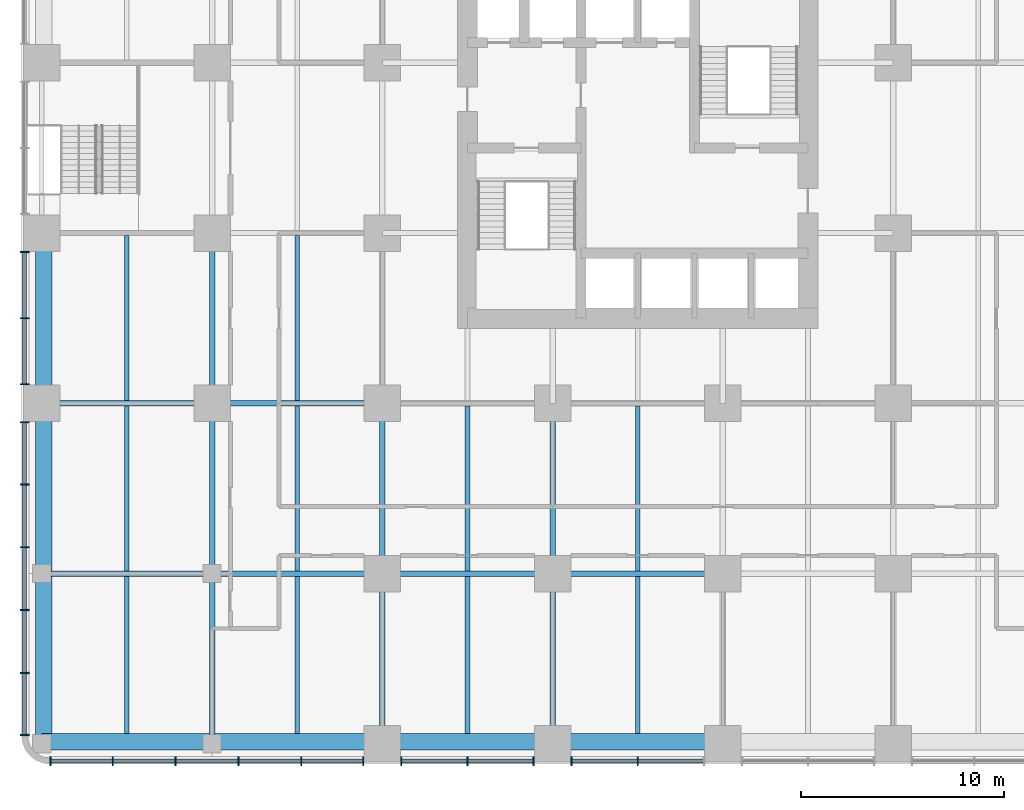
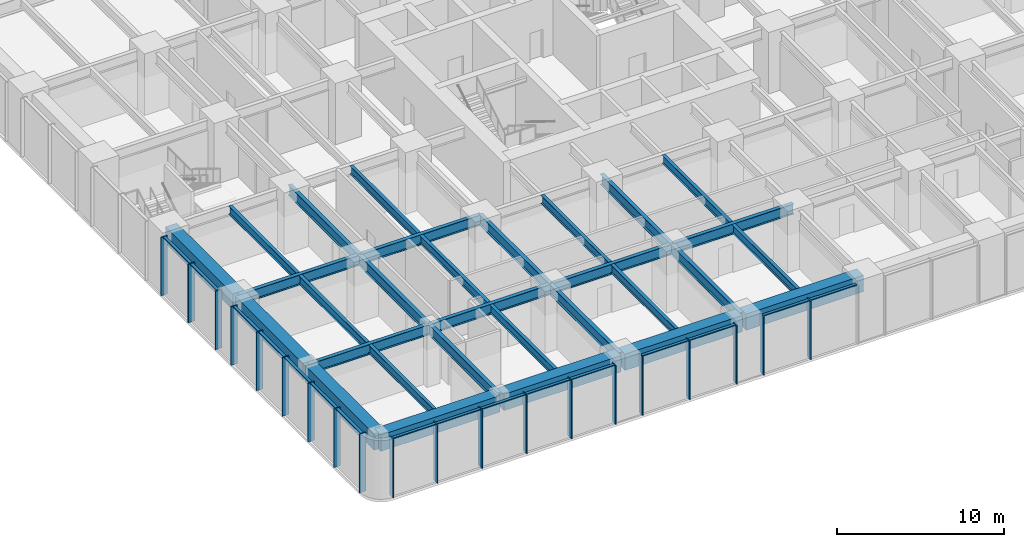
# One storey, part 2 of 17: 36 members, 30 beams, 2 elements without a shape of their own.
"""IFC4 building model written with IfcOpenShell, lengths in metres."""

from ifc_helpers import new_model, si_unit, direction, frame, origin, origin_2d, place, context, subcontext, project, spatial, rectangle, i_section, extrude, material, material_profile, profile_set, type_object, element, aggregate, save


model = new_model("IFC4")

# Units and contexts
model_context = context("Model", 3, precision=1e-05, world=origin(), true_north=direction((0.0, 1.0)))
body_context = subcontext(model_context, "Body", "Model", "MODEL_VIEW")
ifc_project = project(units=[si_unit("LENGTHUNIT", "METRE"), si_unit("AREAUNIT", "SQUARE_METRE"), si_unit("VOLUMEUNIT", "CUBIC_METRE"), si_unit("PLANEANGLEUNIT", "RADIAN"), si_unit("MASSUNIT", "GRAM", prefix="KILO")], contexts=[model_context])

# Site, building, storey
site_placement = place(None, origin())
site = spatial("IfcSite", under=ifc_project, at=site_placement, CompositionType="ELEMENT")
building_placement = place(site_placement, origin())
building = spatial("IfcBuilding", under=site, at=building_placement, Name="Torre Alcanfor", CompositionType="ELEMENT")
storey_placement = place(building_placement, frame((0.0, 0.0, 19.5)))
storey = spatial("IfcBuildingStorey", under=building, at=storey_placement, Name="L04", CompositionType="ELEMENT", Elevation=19.5)

# Curtain wall, members
ifc_material_1 = material(Name="Aluminium and glass", Category="aluminium")
curtain_wall_type = type_object("IfcCurtainWallType", Name="CW-B unitised classroom glazing with vertical FIN", PredefinedType="NOTDEFINED", material=ifc_material_1)
curtain_wall_1_placement = place(storey_placement, origin())
curtain_wall_1 = element("IfcCurtainWall", 1, at=curtain_wall_1_placement, inside=storey, type_object=curtain_wall_type, Name="Curtain wall CW-B L04 3", PredefinedType="NOTDEFINED")
ifc_material_2 = material(Name="Bronze anodised aluminium", Category="aluminium")
ifc_material_profile_1 = material_profile(ifc_material_2, rectangle(XDim=0.449951171875, YDim=0.06494140625, at=origin_2d()), Name="CW-B mullion 65x450")
ifc_profile_set_1 = profile_set([ifc_material_profile_1], Name="Bronze anodised aluminium")
member_type_1 = type_object("IfcMemberType", Name="CW-B mullion with vertical FIN 65x450", PredefinedType="MULLION", material=ifc_profile_set_1)
member_1_placement = place(storey_placement, frame((-0.85009765625, 24.262451171875, 0.0), z_axis=(0.0, 0.0, 1.0), x_axis=(1.0, 0.0, 0.0)))
member_1 = element("IfcMember", 2, at=member_1_placement, type_object=member_type_1, Name="CW-B mullion 4.1", PredefinedType="MULLION", context=body_context, shape_type="SweptSolid", body=[
    extrude(rectangle(XDim=0.449951171875, YDim=0.06494140625, at=origin_2d()), origin(), (0.0, 0.0, 1.0), 4.300048828125),
])
member_2_placement = place(storey_placement, frame((-0.85009765625, 21.0, 0.0), z_axis=(0.0, 0.0, 1.0), x_axis=(1.0, 0.0, 0.0)))
member_2 = element("IfcMember", 3, at=member_2_placement, type_object=member_type_1, Name="CW-B mullion 4.2", PredefinedType="MULLION", context=body_context, shape_type="SweptSolid", body=[
    extrude(rectangle(XDim=0.449951171875, YDim=0.06494140625, at=origin_2d()), origin(), (0.0, 0.0, 1.0), 4.300048828125),
])
member_3_placement = place(storey_placement, frame((-0.85009765625, 17.737548828125, 0.0), z_axis=(0.0, 0.0, 1.0), x_axis=(1.0, 0.0, 0.0)))
member_3 = element("IfcMember", 4, at=member_3_placement, type_object=member_type_1, Name="CW-B mullion 4.3", PredefinedType="MULLION", context=body_context, shape_type="SweptSolid", body=[
    extrude(rectangle(XDim=0.449951171875, YDim=0.06494140625, at=origin_2d()), origin(), (0.0, 0.0, 1.0), 4.300048828125),
])
member_4_placement = place(storey_placement, frame((-0.85009765625, 15.862548828125, 0.0), z_axis=(0.0, 0.0, 1.0), x_axis=(1.0, 0.0, 0.0)))
member_4 = element("IfcMember", 5, at=member_4_placement, type_object=member_type_1, Name="CW-B mullion 5.1", PredefinedType="MULLION", context=body_context, shape_type="SweptSolid", body=[
    extrude(rectangle(XDim=0.449951171875, YDim=0.06494140625, at=origin_2d()), origin(), (0.0, 0.0, 1.0), 4.300048828125),
])
member_5_placement = place(storey_placement, frame((-0.85009765625, 12.7958984375, 0.0), z_axis=(0.0, 0.0, 1.0), x_axis=(1.0, 0.0, 0.0)))
member_5 = element("IfcMember", 6, at=member_5_placement, type_object=member_type_1, Name="CW-B mullion 5.2", PredefinedType="MULLION", context=body_context, shape_type="SweptSolid", body=[
    extrude(rectangle(XDim=0.449951171875, YDim=0.06494140625, at=origin_2d()), origin(), (0.0, 0.0, 1.0), 4.300048828125),
])
member_6_placement = place(storey_placement, frame((-0.85009765625, 9.697021484375, 0.0), z_axis=(0.0, 0.0, 1.0), x_axis=(1.0, 0.0, 0.0)))
member_6 = element("IfcMember", 7, at=member_6_placement, type_object=member_type_1, Name="CW-B mullion 5.3", PredefinedType="MULLION", context=body_context, shape_type="SweptSolid", body=[
    extrude(rectangle(XDim=0.449951171875, YDim=0.06494140625, at=origin_2d()), origin(), (0.0, 0.0, 1.0), 4.300048828125),
])
member_7_placement = place(storey_placement, frame((-0.85009765625, 6.597900390625, 0.0), z_axis=(0.0, 0.0, 1.0), x_axis=(1.0, 0.0, 0.0)))
member_7 = element("IfcMember", 8, at=member_7_placement, type_object=member_type_1, Name="CW-B mullion 5.4", PredefinedType="MULLION", context=body_context, shape_type="SweptSolid", body=[
    extrude(rectangle(XDim=0.449951171875, YDim=0.06494140625, at=origin_2d()), origin(), (0.0, 0.0, 1.0), 4.300048828125),
])
member_8_placement = place(storey_placement, frame((-0.85009765625, 3.4990234375, 0.0), z_axis=(0.0, 0.0, 1.0), x_axis=(1.0, 0.0, 0.0)))
member_8 = element("IfcMember", 9, at=member_8_placement, type_object=member_type_1, Name="CW-B mullion 5.5", PredefinedType="MULLION", context=body_context, shape_type="SweptSolid", body=[
    extrude(rectangle(XDim=0.449951171875, YDim=0.06494140625, at=origin_2d()), origin(), (0.0, 0.0, 1.0), 4.300048828125),
])
member_9_placement = place(storey_placement, frame((-0.85009765625, 0.4326171875, 0.0), z_axis=(0.0, 0.0, 1.0), x_axis=(1.0, 0.0, 0.0)))
member_9 = element("IfcMember", 10, at=member_9_placement, type_object=member_type_1, Name="CW-B mullion 5.6", PredefinedType="MULLION", context=body_context, shape_type="SweptSolid", body=[
    extrude(rectangle(XDim=0.449951171875, YDim=0.06494140625, at=origin_2d()), origin(), (0.0, 0.0, 1.0), 4.300048828125),
])

curtain_wall_2_placement = place(storey_placement, origin())
curtain_wall_2 = element("IfcCurtainWall", 11, at=curtain_wall_2_placement, inside=storey, type_object=curtain_wall_type, Name="Curtain wall CW-B L04 4", PredefinedType="NOTDEFINED")
member_10_placement = place(storey_placement, frame((0.4326171875, -0.85009765625, 0.0), z_axis=(0.0, 0.0, 1.0), x_axis=(0.0, 1.0, 0.0)))
member_10 = element("IfcMember", 12, at=member_10_placement, type_object=member_type_1, Name="CW-B mullion 1.1", PredefinedType="MULLION", context=body_context, shape_type="SweptSolid", body=[
    extrude(rectangle(XDim=0.449951171875, YDim=0.06494140625, at=origin_2d()), origin(), (0.0, 0.0, 1.0), 4.300048828125),
])
member_11_placement = place(storey_placement, frame((3.4990234375, -0.85009765625, 0.0), z_axis=(0.0, 0.0, 1.0), x_axis=(0.0, 1.0, 0.0)))
member_11 = element("IfcMember", 13, at=member_11_placement, type_object=member_type_1, Name="CW-B mullion 1.2", PredefinedType="MULLION", context=body_context, shape_type="SweptSolid", body=[
    extrude(rectangle(XDim=0.449951171875, YDim=0.06494140625, at=origin_2d()), origin(), (0.0, 0.0, 1.0), 4.300048828125),
])
member_12_placement = place(storey_placement, frame((6.597900390625, -0.85009765625, 0.0), z_axis=(0.0, 0.0, 1.0), x_axis=(0.0, 1.0, 0.0)))
member_12 = element("IfcMember", 14, at=member_12_placement, type_object=member_type_1, Name="CW-B mullion 1.3", PredefinedType="MULLION", context=body_context, shape_type="SweptSolid", body=[
    extrude(rectangle(XDim=0.449951171875, YDim=0.06494140625, at=origin_2d()), origin(), (0.0, 0.0, 1.0), 4.300048828125),
])
member_13_placement = place(storey_placement, frame((9.697021484375, -0.85009765625, 0.0), z_axis=(0.0, 0.0, 1.0), x_axis=(0.0, 1.0, 0.0)))
member_13 = element("IfcMember", 15, at=member_13_placement, type_object=member_type_1, Name="CW-B mullion 1.4", PredefinedType="MULLION", context=body_context, shape_type="SweptSolid", body=[
    extrude(rectangle(XDim=0.449951171875, YDim=0.06494140625, at=origin_2d()), origin(), (0.0, 0.0, 1.0), 4.300048828125),
])
member_14_placement = place(storey_placement, frame((12.7958984375, -0.85009765625, 0.0), z_axis=(0.0, 0.0, 1.0), x_axis=(0.0, 1.0, 0.0)))
member_14 = element("IfcMember", 16, at=member_14_placement, type_object=member_type_1, Name="CW-B mullion 1.5", PredefinedType="MULLION", context=body_context, shape_type="SweptSolid", body=[
    extrude(rectangle(XDim=0.449951171875, YDim=0.06494140625, at=origin_2d()), origin(), (0.0, 0.0, 1.0), 4.300048828125),
])
member_15_placement = place(storey_placement, frame((15.862548828125, -0.85009765625, 0.0), z_axis=(0.0, 0.0, 1.0), x_axis=(0.0, 1.0, 0.0)))
member_15 = element("IfcMember", 17, at=member_15_placement, type_object=member_type_1, Name="CW-B mullion 1.6", PredefinedType="MULLION", context=body_context, shape_type="SweptSolid", body=[
    extrude(rectangle(XDim=0.449951171875, YDim=0.06494140625, at=origin_2d()), origin(), (0.0, 0.0, 1.0), 4.300048828125),
])
member_16_placement = place(storey_placement, frame((17.737548828125, -0.85009765625, 0.0), z_axis=(0.0, 0.0, 1.0), x_axis=(0.0, 1.0, 0.0)))
member_16 = element("IfcMember", 18, at=member_16_placement, type_object=member_type_1, Name="CW-B mullion 2.1", PredefinedType="MULLION", context=body_context, shape_type="SweptSolid", body=[
    extrude(rectangle(XDim=0.449951171875, YDim=0.06494140625, at=origin_2d()), origin(), (0.0, 0.0, 1.0), 4.300048828125),
])
member_17_placement = place(storey_placement, frame((21.0, -0.85009765625, 0.0), z_axis=(0.0, 0.0, 1.0), x_axis=(0.0, 1.0, 0.0)))
member_17 = element("IfcMember", 19, at=member_17_placement, type_object=member_type_1, Name="CW-B mullion 2.2", PredefinedType="MULLION", context=body_context, shape_type="SweptSolid", body=[
    extrude(rectangle(XDim=0.449951171875, YDim=0.06494140625, at=origin_2d()), origin(), (0.0, 0.0, 1.0), 4.300048828125),
])
member_18_placement = place(storey_placement, frame((24.262451171875, -0.85009765625, 0.0), z_axis=(0.0, 0.0, 1.0), x_axis=(0.0, 1.0, 0.0)))
member_18 = element("IfcMember", 20, at=member_18_placement, type_object=member_type_1, Name="CW-B mullion 2.3", PredefinedType="MULLION", context=body_context, shape_type="SweptSolid", body=[
    extrude(rectangle(XDim=0.449951171875, YDim=0.06494140625, at=origin_2d()), origin(), (0.0, 0.0, 1.0), 4.300048828125),
])
member_19_placement = place(storey_placement, frame((26.137451171875, -0.85009765625, 0.0), z_axis=(0.0, 0.0, 1.0), x_axis=(0.0, 1.0, 0.0)))
member_19 = element("IfcMember", 21, at=member_19_placement, type_object=member_type_1, Name="CW-B mullion 3.1", PredefinedType="MULLION", context=body_context, shape_type="SweptSolid", body=[
    extrude(rectangle(XDim=0.449951171875, YDim=0.06494140625, at=origin_2d()), origin(), (0.0, 0.0, 1.0), 4.300048828125),
])
member_20_placement = place(storey_placement, frame((29.39990234375, -0.85009765625, 0.0), z_axis=(0.0, 0.0, 1.0), x_axis=(0.0, 1.0, 0.0)))
member_20 = element("IfcMember", 22, at=member_20_placement, type_object=member_type_1, Name="CW-B mullion 3.2", PredefinedType="MULLION", context=body_context, shape_type="SweptSolid", body=[
    extrude(rectangle(XDim=0.449951171875, YDim=0.06494140625, at=origin_2d()), origin(), (0.0, 0.0, 1.0), 4.300048828125),
])

# Member
ifc_material_3 = material(Name="Extruded aluminium", Category="aluminium")
ifc_material_profile_2 = material_profile(ifc_material_3, rectangle(XDim=0.199951171875, YDim=0.06494140625, at=origin_2d()), Name="CW-B transom 200x65")
ifc_profile_set_2 = profile_set([ifc_material_profile_2], Name="Extruded aluminium")
member_type_2 = type_object("IfcMemberType", Name="CW-B transom 65x200", PredefinedType="USERDEFINED", material=ifc_profile_set_2)
member_21_placement = place(storey_placement, frame((-0.85009765625, 24.22998046875, 4.267578125), z_axis=(0.0, -1.0, 0.0), x_axis=(1.0, 0.0, 0.0)))
member_21 = element("IfcMember", 23, at=member_21_placement, type_object=member_type_2, Name="CW-B transom 4.1.2", ObjectType="TRANSOM", PredefinedType="USERDEFINED", context=body_context, shape_type="SweptSolid", body=[
    extrude(rectangle(XDim=0.199951171875, YDim=0.06494140625, at=origin_2d()), origin(), (0.0, 0.0, 1.0), 3.197509765625),
])

member_22_placement = place(storey_placement, frame((-0.85009765625, 20.967529296875, 4.267578125), z_axis=(0.0, -1.0, 0.0), x_axis=(1.0, 0.0, 0.0)))
member_22 = element("IfcMember", 24, at=member_22_placement, type_object=member_type_2, Name="CW-B transom 4.2.2", ObjectType="TRANSOM", PredefinedType="USERDEFINED", context=body_context, shape_type="SweptSolid", body=[
    extrude(rectangle(XDim=0.199951171875, YDim=0.06494140625, at=origin_2d()), origin(), (0.0, 0.0, 1.0), 3.197509765625),
])

member_23_placement = place(storey_placement, frame((-0.85009765625, 15.830078125, 4.267578125), z_axis=(0.0, -1.0, 0.0), x_axis=(1.0, 0.0, 0.0)))
member_23 = element("IfcMember", 25, at=member_23_placement, type_object=member_type_2, Name="CW-B transom 5.1.2", ObjectType="TRANSOM", PredefinedType="USERDEFINED", context=body_context, shape_type="SweptSolid", body=[
    extrude(rectangle(XDim=0.199951171875, YDim=0.06494140625, at=origin_2d()), origin(), (0.0, 0.0, 1.0), 3.00146484375),
])

member_24_placement = place(storey_placement, frame((-0.85009765625, 12.763427734375, 4.267578125), z_axis=(0.0, -1.0, 0.0), x_axis=(1.0, 0.0, 0.0)))
member_24 = element("IfcMember", 26, at=member_24_placement, type_object=member_type_2, Name="CW-B transom 5.2.2", ObjectType="TRANSOM", PredefinedType="USERDEFINED", context=body_context, shape_type="SweptSolid", body=[
    extrude(rectangle(XDim=0.199951171875, YDim=0.06494140625, at=origin_2d()), origin(), (0.0, 0.0, 1.0), 3.033935546875),
])

member_25_placement = place(storey_placement, frame((-0.85009765625, 9.66455078125, 4.267578125), z_axis=(0.0, -1.0, 0.0), x_axis=(1.0, 0.0, 0.0)))
member_25 = element("IfcMember", 27, at=member_25_placement, type_object=member_type_2, Name="CW-B transom 5.3.2", ObjectType="TRANSOM", PredefinedType="USERDEFINED", context=body_context, shape_type="SweptSolid", body=[
    extrude(rectangle(XDim=0.199951171875, YDim=0.06494140625, at=origin_2d()), origin(), (0.0, 0.0, 1.0), 3.033935546875),
])

member_26_placement = place(storey_placement, frame((-0.85009765625, 6.5654296875, 4.267578125), z_axis=(0.0, -1.0, 0.0), x_axis=(1.0, 0.0, 0.0)))
member_26 = element("IfcMember", 28, at=member_26_placement, type_object=member_type_2, Name="CW-B transom 5.4.2", ObjectType="TRANSOM", PredefinedType="USERDEFINED", context=body_context, shape_type="SweptSolid", body=[
    extrude(rectangle(XDim=0.199951171875, YDim=0.06494140625, at=origin_2d()), origin(), (0.0, 0.0, 1.0), 3.033935546875),
])

member_27_placement = place(storey_placement, frame((-0.85009765625, 3.466552734375, 4.267578125), z_axis=(0.0, -1.0, 0.0), x_axis=(1.0, 0.0, 0.0)))
member_27 = element("IfcMember", 29, at=member_27_placement, type_object=member_type_2, Name="CW-B transom 5.5.2", ObjectType="TRANSOM", PredefinedType="USERDEFINED", context=body_context, shape_type="SweptSolid", body=[
    extrude(rectangle(XDim=0.199951171875, YDim=0.06494140625, at=origin_2d()), origin(), (0.0, 0.0, 1.0), 3.00146484375),
])

aggregate(curtain_wall_1, [member_1, member_2, member_3, member_21, member_22, member_4, member_5, member_6, member_7, member_8, member_9, member_23, member_24, member_25, member_26, member_27])

member_28_placement = place(storey_placement, frame((0.465087890625, -0.85009765625, 4.267578125), z_axis=(1.0, 0.0, 0.0), x_axis=(0.0, 1.0, 0.0)))
member_28 = element("IfcMember", 30, at=member_28_placement, type_object=member_type_2, Name="CW-B transom 1.1.2", ObjectType="TRANSOM", PredefinedType="USERDEFINED", context=body_context, shape_type="SweptSolid", body=[
    extrude(rectangle(XDim=0.199951171875, YDim=0.06494140625, at=origin_2d()), origin(), (0.0, 0.0, 1.0), 3.00146484375),
])

member_29_placement = place(storey_placement, frame((3.531494140625, -0.85009765625, 4.267578125), z_axis=(1.0, 0.0, 0.0), x_axis=(0.0, 1.0, 0.0)))
member_29 = element("IfcMember", 31, at=member_29_placement, type_object=member_type_2, Name="CW-B transom 1.2.2", ObjectType="TRANSOM", PredefinedType="USERDEFINED", context=body_context, shape_type="SweptSolid", body=[
    extrude(rectangle(XDim=0.199951171875, YDim=0.06494140625, at=origin_2d()), origin(), (0.0, 0.0, 1.0), 3.033935546875),
])

member_30_placement = place(storey_placement, frame((6.630615234375, -0.85009765625, 4.267578125), z_axis=(1.0, 0.0, 0.0), x_axis=(0.0, 1.0, 0.0)))
member_30 = element("IfcMember", 32, at=member_30_placement, type_object=member_type_2, Name="CW-B transom 1.3.2", ObjectType="TRANSOM", PredefinedType="USERDEFINED", context=body_context, shape_type="SweptSolid", body=[
    extrude(rectangle(XDim=0.199951171875, YDim=0.06494140625, at=origin_2d()), origin(), (0.0, 0.0, 1.0), 3.033935546875),
])

member_31_placement = place(storey_placement, frame((9.7294921875, -0.85009765625, 4.267578125), z_axis=(1.0, 0.0, 0.0), x_axis=(0.0, 1.0, 0.0)))
member_31 = element("IfcMember", 33, at=member_31_placement, type_object=member_type_2, Name="CW-B transom 1.4.2", ObjectType="TRANSOM", PredefinedType="USERDEFINED", context=body_context, shape_type="SweptSolid", body=[
    extrude(rectangle(XDim=0.199951171875, YDim=0.06494140625, at=origin_2d()), origin(), (0.0, 0.0, 1.0), 3.033935546875),
])

member_32_placement = place(storey_placement, frame((12.82861328125, -0.85009765625, 4.267578125), z_axis=(1.0, 0.0, 0.0), x_axis=(0.0, 1.0, 0.0)))
member_32 = element("IfcMember", 34, at=member_32_placement, type_object=member_type_2, Name="CW-B transom 1.5.2", ObjectType="TRANSOM", PredefinedType="USERDEFINED", context=body_context, shape_type="SweptSolid", body=[
    extrude(rectangle(XDim=0.199951171875, YDim=0.06494140625, at=origin_2d()), origin(), (0.0, 0.0, 1.0), 3.00146484375),
])

member_33_placement = place(storey_placement, frame((17.77001953125, -0.85009765625, 4.267578125), z_axis=(1.0, 0.0, 0.0), x_axis=(0.0, 1.0, 0.0)))
member_33 = element("IfcMember", 35, at=member_33_placement, type_object=member_type_2, Name="CW-B transom 2.1.2", ObjectType="TRANSOM", PredefinedType="USERDEFINED", context=body_context, shape_type="SweptSolid", body=[
    extrude(rectangle(XDim=0.199951171875, YDim=0.06494140625, at=origin_2d()), origin(), (0.0, 0.0, 1.0), 3.197509765625),
])

member_34_placement = place(storey_placement, frame((21.032470703125, -0.85009765625, 4.267578125), z_axis=(1.0, 0.0, 0.0), x_axis=(0.0, 1.0, 0.0)))
member_34 = element("IfcMember", 36, at=member_34_placement, type_object=member_type_2, Name="CW-B transom 2.2.2", ObjectType="TRANSOM", PredefinedType="USERDEFINED", context=body_context, shape_type="SweptSolid", body=[
    extrude(rectangle(XDim=0.199951171875, YDim=0.06494140625, at=origin_2d()), origin(), (0.0, 0.0, 1.0), 3.197509765625),
])

member_35_placement = place(storey_placement, frame((26.169921875, -0.85009765625, 4.267578125), z_axis=(1.0, 0.0, 0.0), x_axis=(0.0, 1.0, 0.0)))
member_35 = element("IfcMember", 37, at=member_35_placement, type_object=member_type_2, Name="CW-B transom 3.1.2", ObjectType="TRANSOM", PredefinedType="USERDEFINED", context=body_context, shape_type="SweptSolid", body=[
    extrude(rectangle(XDim=0.199951171875, YDim=0.06494140625, at=origin_2d()), origin(), (0.0, 0.0, 1.0), 3.197509765625),
])

member_36_placement = place(storey_placement, frame((29.4326171875, -0.85009765625, 4.267578125), z_axis=(1.0, 0.0, 0.0), x_axis=(0.0, 1.0, 0.0)))
member_36 = element("IfcMember", 38, at=member_36_placement, type_object=member_type_2, Name="CW-B transom 3.2.2", ObjectType="TRANSOM", PredefinedType="USERDEFINED", context=body_context, shape_type="SweptSolid", body=[
    extrude(rectangle(XDim=0.199951171875, YDim=0.06494140625, at=origin_2d()), origin(), (0.0, 0.0, 1.0), 3.197265625),
])

aggregate(curtain_wall_2, [member_10, member_11, member_12, member_13, member_14, member_15, member_28, member_29, member_30, member_31, member_32, member_16, member_17, member_18, member_33, member_34, member_19, member_20, member_35, member_36])

# Beams
ifc_material_4 = material(Name="Steel ASTM A992 Grade 50", Category="steel")
ifc_material_profile_3 = material_profile(ifc_material_4, i_section(OverallWidth=0.2666015625, OverallDepth=0.7568359375, WebThickness=0.013916015625, FlangeThickness=0.019287109375, at=origin_2d()), Name="W30x108")
ifc_profile_set_3 = profile_set([ifc_material_profile_3], Name="Steel ASTM A992 Grade 50")
beam_type_1 = type_object("IfcBeamType", Name="Girder W30x108", PredefinedType="BEAM", material=ifc_profile_set_3)
beam_1_placement = place(storey_placement, frame((0.0, 8.39990234375, 3.921630859375), z_axis=(1.0, 0.0, 0.0), x_axis=(0.0, 1.0, 0.0)))
element("IfcBeam", 39, at=beam_1_placement, inside=storey, type_object=beam_type_1, Name="Beam 1D-2D under L05", PredefinedType="BEAM", context=body_context, shape_type="SweptSolid", body=[
    extrude(i_section(OverallWidth=0.2666015625, OverallDepth=0.7568359375, WebThickness=0.013916015625, FlangeThickness=0.019287109375, at=origin_2d()), origin(), (0.0, 0.0, 1.0), 8.39990234375),
])
beam_2_placement = place(storey_placement, frame((8.39990234375, 8.39990234375, 3.921630859375), z_axis=(1.0, 0.0, 0.0), x_axis=(0.0, 1.0, 0.0)))
element("IfcBeam", 40, at=beam_2_placement, inside=storey, type_object=beam_type_1, Name="Beam 2D-3D under L05", PredefinedType="BEAM", context=body_context, shape_type="SweptSolid", body=[
    extrude(i_section(OverallWidth=0.2666015625, OverallDepth=0.7568359375, WebThickness=0.013916015625, FlangeThickness=0.019287109375, at=origin_2d()), origin(), (0.0, 0.0, 1.0), 8.400146484375),
])
beam_3_placement = place(storey_placement, frame((16.800048828125, 8.39990234375, 3.921630859375), z_axis=(1.0, 0.0, 0.0), x_axis=(0.0, 1.0, 0.0)))
element("IfcBeam", 41, at=beam_3_placement, inside=storey, type_object=beam_type_1, Name="Beam 3D-4D under L05", PredefinedType="BEAM", context=body_context, shape_type="SweptSolid", body=[
    extrude(i_section(OverallWidth=0.2666015625, OverallDepth=0.7568359375, WebThickness=0.013916015625, FlangeThickness=0.019287109375, at=origin_2d()), origin(), (0.0, 0.0, 1.0), 8.39990234375),
])
beam_4_placement = place(storey_placement, frame((25.199951171875, 8.39990234375, 3.921630859375), z_axis=(1.0, 0.0, 0.0), x_axis=(0.0, 1.0, 0.0)))
element("IfcBeam", 42, at=beam_4_placement, inside=storey, type_object=beam_type_1, Name="Beam 4D-5D under L05", PredefinedType="BEAM", context=body_context, shape_type="SweptSolid", body=[
    extrude(i_section(OverallWidth=0.2666015625, OverallDepth=0.7568359375, WebThickness=0.013916015625, FlangeThickness=0.019287109375, at=origin_2d()), origin(), (0.0, 0.0, 1.0), 8.400146484375),
])
beam_5_placement = place(storey_placement, frame((0.0, 16.800048828125, 3.921630859375), z_axis=(1.0, 0.0, 0.0), x_axis=(0.0, 1.0, 0.0)))
element("IfcBeam", 43, at=beam_5_placement, inside=storey, type_object=beam_type_1, Name="Beam 1E-2E under L05", PredefinedType="BEAM", context=body_context, shape_type="SweptSolid", body=[
    extrude(i_section(OverallWidth=0.2666015625, OverallDepth=0.7568359375, WebThickness=0.013916015625, FlangeThickness=0.019287109375, at=origin_2d()), origin(), (0.0, 0.0, 1.0), 8.39990234375),
])
beam_6_placement = place(storey_placement, frame((8.39990234375, 16.800048828125, 3.921630859375), z_axis=(1.0, 0.0, 0.0), x_axis=(0.0, 1.0, 0.0)))
element("IfcBeam", 44, at=beam_6_placement, inside=storey, type_object=beam_type_1, Name="Beam 2E-3E under L05", PredefinedType="BEAM", context=body_context, shape_type="SweptSolid", body=[
    extrude(i_section(OverallWidth=0.2666015625, OverallDepth=0.7568359375, WebThickness=0.013916015625, FlangeThickness=0.019287109375, at=origin_2d()), origin(), (0.0, 0.0, 1.0), 8.400146484375),
])
beam_7_placement = place(storey_placement, frame((8.39990234375, 0.0, 3.921630859375), z_axis=(0.0, 1.0, 0.0), x_axis=(-1.0, 0.0, 0.0)))
element("IfcBeam", 45, at=beam_7_placement, inside=storey, type_object=beam_type_1, Name="Beam 2C-2D under L05", PredefinedType="BEAM", context=body_context, shape_type="SweptSolid", body=[
    extrude(i_section(OverallWidth=0.2666015625, OverallDepth=0.7568359375, WebThickness=0.013916015625, FlangeThickness=0.019287109375, at=origin_2d()), origin(), (0.0, 0.0, 1.0), 8.39990234375),
])
beam_8_placement = place(storey_placement, frame((8.39990234375, 8.39990234375, 3.921630859375), z_axis=(0.0, 1.0, 0.0), x_axis=(-1.0, 0.0, 0.0)))
element("IfcBeam", 46, at=beam_8_placement, inside=storey, type_object=beam_type_1, Name="Beam 2D-2E under L05", PredefinedType="BEAM", context=body_context, shape_type="SweptSolid", body=[
    extrude(i_section(OverallWidth=0.2666015625, OverallDepth=0.7568359375, WebThickness=0.013916015625, FlangeThickness=0.019287109375, at=origin_2d()), origin(), (0.0, 0.0, 1.0), 8.400146484375),
])
for number, where, z_axis, x_axis, name in (
    (47, (8.39990234375, 16.800048828125, 3.921630859375), (0.0, 1.0, 0.0), (-1.0, 0.0, 0.0), "Beam 2E-2F under L05"),
    (48, (16.800048828125, 0.0, 3.921630859375), (0.0, 1.0, 0.0), (-1.0, 0.0, 0.0), "Beam 3C-3D under L05"),
):
    element("IfcBeam", number, at=place(storey_placement, frame(where, z_axis=z_axis, x_axis=x_axis)), inside=storey, type_object=beam_type_1, Name=name, PredefinedType="BEAM", context=body_context, shape_type="SweptSolid", body=[
        extrude(i_section(OverallWidth=0.2666015625, OverallDepth=0.7568359375, WebThickness=0.013916015625, FlangeThickness=0.019287109375, at=origin_2d()), origin(), (0.0, 0.0, 1.0), 8.39990234375),
    ])
beam_9_placement = place(storey_placement, frame((16.800048828125, 8.39990234375, 3.921630859375), z_axis=(0.0, 1.0, 0.0), x_axis=(-1.0, 0.0, 0.0)))
element("IfcBeam", 49, at=beam_9_placement, inside=storey, type_object=beam_type_1, Name="Beam 3D-3E under L05", PredefinedType="BEAM", context=body_context, shape_type="SweptSolid", body=[
    extrude(i_section(OverallWidth=0.2666015625, OverallDepth=0.7568359375, WebThickness=0.013916015625, FlangeThickness=0.019287109375, at=origin_2d()), origin(), (0.0, 0.0, 1.0), 8.400146484375),
])
beam_10_placement = place(storey_placement, frame((25.199951171875, 0.0, 3.921630859375), z_axis=(0.0, 1.0, 0.0), x_axis=(-1.0, 0.0, 0.0)))
element("IfcBeam", 50, at=beam_10_placement, inside=storey, type_object=beam_type_1, Name="Beam 4C-4D under L05", PredefinedType="BEAM", context=body_context, shape_type="SweptSolid", body=[
    extrude(i_section(OverallWidth=0.2666015625, OverallDepth=0.7568359375, WebThickness=0.013916015625, FlangeThickness=0.019287109375, at=origin_2d()), origin(), (0.0, 0.0, 1.0), 8.39990234375),
])
beam_11_placement = place(storey_placement, frame((25.199951171875, 8.39990234375, 3.921630859375), z_axis=(0.0, 1.0, 0.0), x_axis=(-1.0, 0.0, 0.0)))
element("IfcBeam", 51, at=beam_11_placement, inside=storey, type_object=beam_type_1, Name="Beam 4D-4E under L05", PredefinedType="BEAM", context=body_context, shape_type="SweptSolid", body=[
    extrude(i_section(OverallWidth=0.2666015625, OverallDepth=0.7568359375, WebThickness=0.013916015625, FlangeThickness=0.019287109375, at=origin_2d()), origin(), (0.0, 0.0, 1.0), 8.400146484375),
])
ifc_material_5 = material(Name="Concrete f'c 70 MPa", Category="concrete")
ifc_material_profile_4 = material_profile(ifc_material_5, rectangle(XDim=0.800048828125, YDim=1.199951171875, at=origin_2d()), Name="800x1200")
ifc_profile_set_4 = profile_set([ifc_material_profile_4], Name="Concrete f'c 70 MPa")
beam_type_2 = type_object("IfcBeamType", Name="RC perimeter beam 800x1200", PredefinedType="BEAM", material=ifc_profile_set_4)
beam_12_placement = place(storey_placement, frame((0.0, 0.10009765625, 3.699951171875), z_axis=(1.0, 0.0, 0.0), x_axis=(0.0, 1.0, 0.0)))
element("IfcBeam", 52, at=beam_12_placement, inside=storey, type_object=beam_type_2, Name="Beam 1C-2C under L05", PredefinedType="BEAM", context=body_context, shape_type="SweptSolid", body=[
    extrude(rectangle(XDim=0.800048828125, YDim=1.199951171875, at=origin_2d()), origin(), (0.0, 0.0, 1.0), 8.26708984375),
])
beam_13_placement = place(storey_placement, frame((8.532958984375, 0.10009765625, 3.699951171875), z_axis=(1.0, 0.0, 0.0), x_axis=(0.0, 1.0, 0.0)))
element("IfcBeam", 53, at=beam_13_placement, inside=storey, type_object=beam_type_2, Name="Beam 2C-3C under L05", PredefinedType="BEAM", context=body_context, shape_type="SweptSolid", body=[
    extrude(rectangle(XDim=0.800048828125, YDim=1.199951171875, at=origin_2d()), origin(), (0.0, 0.0, 1.0), 8.134033203125),
])
beam_14_placement = place(storey_placement, frame((16.93310546875, 0.10009765625, 3.699951171875), z_axis=(1.0, 0.0, 0.0), x_axis=(0.0, 1.0, 0.0)))
element("IfcBeam", 54, at=beam_14_placement, inside=storey, type_object=beam_type_2, Name="Beam 3C-4C under L05", PredefinedType="BEAM", context=body_context, shape_type="SweptSolid", body=[
    extrude(rectangle(XDim=0.800048828125, YDim=1.199951171875, at=origin_2d()), origin(), (0.0, 0.0, 1.0), 8.1337890625),
])
beam_15_placement = place(storey_placement, frame((25.3330078125, 0.10009765625, 3.699951171875), z_axis=(1.0, 0.0, 0.0), x_axis=(0.0, 1.0, 0.0)))
element("IfcBeam", 55, at=beam_15_placement, inside=storey, type_object=beam_type_2, Name="Beam 4C-5C under L05", PredefinedType="BEAM", context=body_context, shape_type="SweptSolid", body=[
    extrude(rectangle(XDim=0.800048828125, YDim=1.199951171875, at=origin_2d()), origin(), (0.0, 0.0, 1.0), 8.134033203125),
])
beam_16_placement = place(storey_placement, frame((0.10009765625, 0.0, 3.699951171875), z_axis=(0.0, 1.0, 0.0), x_axis=(-1.0, 0.0, 0.0)))
element("IfcBeam", 56, at=beam_16_placement, inside=storey, type_object=beam_type_2, Name="Beam 1C-1D under L05", PredefinedType="BEAM", context=body_context, shape_type="SweptSolid", body=[
    extrude(rectangle(XDim=0.800048828125, YDim=1.199951171875, at=origin_2d()), origin(), (0.0, 0.0, 1.0), 8.26708984375),
])
beam_17_placement = place(storey_placement, frame((0.10009765625, 8.532958984375, 3.699951171875), z_axis=(0.0, 1.0, 0.0), x_axis=(-1.0, 0.0, 0.0)))
element("IfcBeam", 57, at=beam_17_placement, inside=storey, type_object=beam_type_2, Name="Beam 1D-1E under L05", PredefinedType="BEAM", context=body_context, shape_type="SweptSolid", body=[
    extrude(rectangle(XDim=0.800048828125, YDim=1.199951171875, at=origin_2d()), origin(), (0.0, 0.0, 1.0), 8.134033203125),
])
beam_18_placement = place(storey_placement, frame((0.10009765625, 16.93310546875, 3.699951171875), z_axis=(0.0, 1.0, 0.0), x_axis=(-1.0, 0.0, 0.0)))
element("IfcBeam", 58, at=beam_18_placement, inside=storey, type_object=beam_type_2, Name="Beam 1E-1F under L05", PredefinedType="BEAM", context=body_context, shape_type="SweptSolid", body=[
    extrude(rectangle(XDim=0.800048828125, YDim=1.199951171875, at=origin_2d()), origin(), (0.0, 0.0, 1.0), 8.1337890625),
])
ifc_material_6 = material(Name="Steel ASTM A992 Grade 50", Category="steel")
ifc_material_profile_5 = material_profile(ifc_material_6, i_section(OverallWidth=0.22900390625, OverallDepth=0.612060546875, WebThickness=0.011962890625, FlangeThickness=0.01953125, at=origin_2d()), Name="W24x84")
ifc_profile_set_5 = profile_set([ifc_material_profile_5], Name="Steel ASTM A992 Grade 50")
beam_type_3 = type_object("IfcBeamType", Name="Secondary beam W24x84", PredefinedType="BEAM", material=ifc_profile_set_5)
beam_19_placement = place(storey_placement, frame((4.199951171875, 0.5, 3.993896484375), z_axis=(0.0, 1.0, 0.0), x_axis=(-1.0, 0.0, 0.0)))
element("IfcBeam", 59, at=beam_19_placement, inside=storey, type_object=beam_type_3, Name="Beam 4_2C-4_2D under L05", PredefinedType="BEAM", context=body_context, shape_type="SweptSolid", body=[
    extrude(i_section(OverallWidth=0.22900390625, OverallDepth=0.612060546875, WebThickness=0.011962890625, FlangeThickness=0.01953125, at=origin_2d()), origin(), (0.0, 0.0, 1.0), 7.76708984375),
])
beam_20_placement = place(storey_placement, frame((4.199951171875, 8.532958984375, 3.993896484375), z_axis=(0.0, 1.0, 0.0), x_axis=(-1.0, 0.0, 0.0)))
element("IfcBeam", 60, at=beam_20_placement, inside=storey, type_object=beam_type_3, Name="Beam 4_2D-4_2E under L05", PredefinedType="BEAM", context=body_context, shape_type="SweptSolid", body=[
    extrude(i_section(OverallWidth=0.22900390625, OverallDepth=0.612060546875, WebThickness=0.011962890625, FlangeThickness=0.01953125, at=origin_2d()), origin(), (0.0, 0.0, 1.0), 8.134033203125),
])
beam_21_placement = place(storey_placement, frame((4.199951171875, 16.93310546875, 3.993896484375), z_axis=(0.0, 1.0, 0.0), x_axis=(-1.0, 0.0, 0.0)))
element("IfcBeam", 61, at=beam_21_placement, inside=storey, type_object=beam_type_3, Name="Beam 4_2E-4_2F under L05", PredefinedType="BEAM", context=body_context, shape_type="SweptSolid", body=[
    extrude(i_section(OverallWidth=0.22900390625, OverallDepth=0.612060546875, WebThickness=0.011962890625, FlangeThickness=0.01953125, at=origin_2d()), origin(), (0.0, 0.0, 1.0), 8.1337890625),
])
beam_22_placement = place(storey_placement, frame((12.60009765625, 0.5, 3.993896484375), z_axis=(0.0, 1.0, 0.0), x_axis=(-1.0, 0.0, 0.0)))
element("IfcBeam", 62, at=beam_22_placement, inside=storey, type_object=beam_type_3, Name="Beam 12_6C-12_6D under L05", PredefinedType="BEAM", context=body_context, shape_type="SweptSolid", body=[
    extrude(i_section(OverallWidth=0.22900390625, OverallDepth=0.612060546875, WebThickness=0.011962890625, FlangeThickness=0.01953125, at=origin_2d()), origin(), (0.0, 0.0, 1.0), 7.76708984375),
])
beam_23_placement = place(storey_placement, frame((12.60009765625, 8.532958984375, 3.993896484375), z_axis=(0.0, 1.0, 0.0), x_axis=(-1.0, 0.0, 0.0)))
element("IfcBeam", 63, at=beam_23_placement, inside=storey, type_object=beam_type_3, Name="Beam 12_6D-12_6E under L05", PredefinedType="BEAM", context=body_context, shape_type="SweptSolid", body=[
    extrude(i_section(OverallWidth=0.22900390625, OverallDepth=0.612060546875, WebThickness=0.011962890625, FlangeThickness=0.01953125, at=origin_2d()), origin(), (0.0, 0.0, 1.0), 8.134033203125),
])
beam_24_placement = place(storey_placement, frame((12.60009765625, 16.93310546875, 3.993896484375), z_axis=(0.0, 1.0, 0.0), x_axis=(-1.0, 0.0, 0.0)))
element("IfcBeam", 64, at=beam_24_placement, inside=storey, type_object=beam_type_3, Name="Beam 12_6E-12_6F under L05", PredefinedType="BEAM", context=body_context, shape_type="SweptSolid", body=[
    extrude(i_section(OverallWidth=0.22900390625, OverallDepth=0.612060546875, WebThickness=0.011962890625, FlangeThickness=0.01953125, at=origin_2d()), origin(), (0.0, 0.0, 1.0), 8.1337890625),
])
beam_25_placement = place(storey_placement, frame((21.0, 0.5, 3.993896484375), z_axis=(0.0, 1.0, 0.0), x_axis=(-1.0, 0.0, 0.0)))
element("IfcBeam", 65, at=beam_25_placement, inside=storey, type_object=beam_type_3, Name="Beam 21C-21D under L05", PredefinedType="BEAM", context=body_context, shape_type="SweptSolid", body=[
    extrude(i_section(OverallWidth=0.22900390625, OverallDepth=0.612060546875, WebThickness=0.011962890625, FlangeThickness=0.01953125, at=origin_2d()), origin(), (0.0, 0.0, 1.0), 7.76708984375),
])
beam_26_placement = place(storey_placement, frame((21.0, 8.532958984375, 3.993896484375), z_axis=(0.0, 1.0, 0.0), x_axis=(-1.0, 0.0, 0.0)))
element("IfcBeam", 66, at=beam_26_placement, inside=storey, type_object=beam_type_3, Name="Beam 21D-21E under L05", PredefinedType="BEAM", context=body_context, shape_type="SweptSolid", body=[
    extrude(i_section(OverallWidth=0.22900390625, OverallDepth=0.612060546875, WebThickness=0.011962890625, FlangeThickness=0.01953125, at=origin_2d()), origin(), (0.0, 0.0, 1.0), 8.134033203125),
])
beam_27_placement = place(storey_placement, frame((29.39990234375, 0.5, 3.993896484375), z_axis=(0.0, 1.0, 0.0), x_axis=(-1.0, 0.0, 0.0)))
element("IfcBeam", 67, at=beam_27_placement, inside=storey, type_object=beam_type_3, Name="Beam 29_4C-29_4D under L05", PredefinedType="BEAM", context=body_context, shape_type="SweptSolid", body=[
    extrude(i_section(OverallWidth=0.22900390625, OverallDepth=0.612060546875, WebThickness=0.011962890625, FlangeThickness=0.01953125, at=origin_2d()), origin(), (0.0, 0.0, 1.0), 7.76708984375),
])
beam_28_placement = place(storey_placement, frame((29.39990234375, 8.532958984375, 3.993896484375), z_axis=(0.0, 1.0, 0.0), x_axis=(-1.0, 0.0, 0.0)))
element("IfcBeam", 68, at=beam_28_placement, inside=storey, type_object=beam_type_3, Name="Beam 29_4D-29_4E under L05", PredefinedType="BEAM", context=body_context, shape_type="SweptSolid", body=[
    extrude(i_section(OverallWidth=0.22900390625, OverallDepth=0.612060546875, WebThickness=0.011962890625, FlangeThickness=0.01953125, at=origin_2d()), origin(), (0.0, 0.0, 1.0), 8.134033203125),
])

save(model, "model.ifc")
